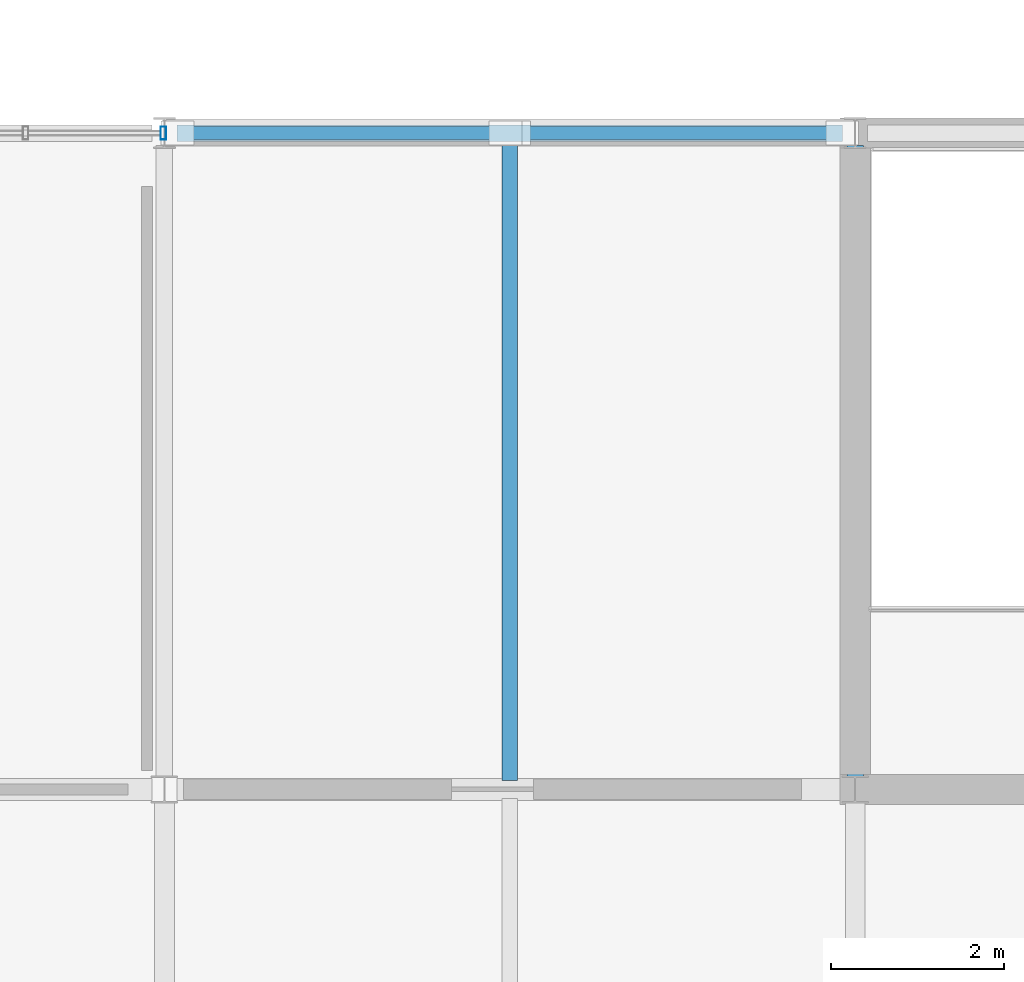
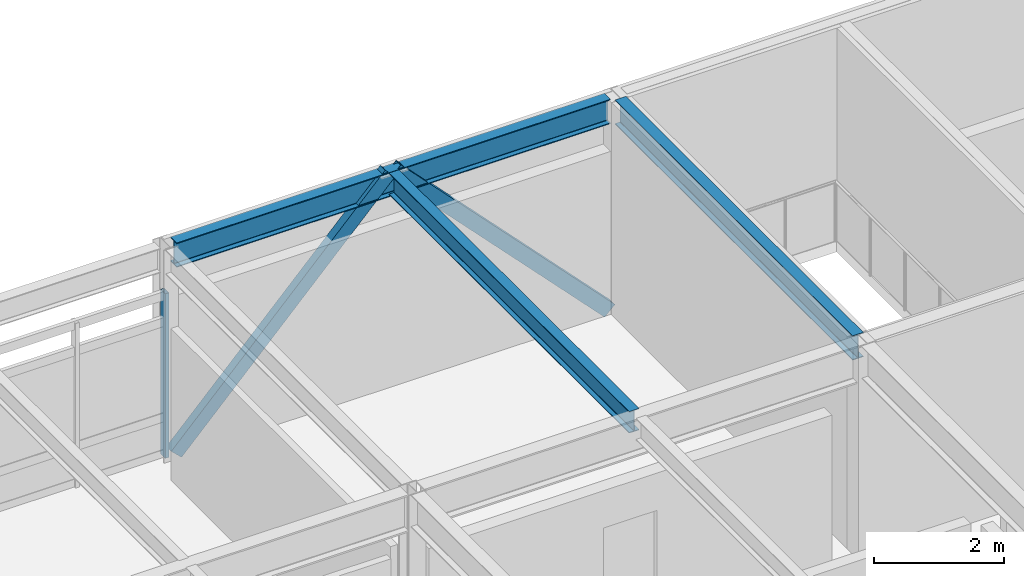
# One storey, part 9 of 17: 3 beams, 3 members, 1 element without a shape of its own.
"""IFC4 building model written with IfcOpenShell, lengths in metres."""

from ifc_helpers import new_model, si_unit, direction, frame, origin, origin_2d, place, context, subcontext, project, spatial, hollow_rectangle, i_section, extrude, material, material_profile, profile_set, type_object, element, aggregate, save


model = new_model("IFC4")

# Units and contexts
model_context = context("Model", 3, precision=1e-05, world=origin(), true_north=direction((0.0, 1.0)))
body_context = subcontext(model_context, "Body", "Model", "MODEL_VIEW")
ifc_project = project(units=[si_unit("LENGTHUNIT", "METRE"), si_unit("AREAUNIT", "SQUARE_METRE"), si_unit("VOLUMEUNIT", "CUBIC_METRE"), si_unit("PLANEANGLEUNIT", "RADIAN"), si_unit("MASSUNIT", "GRAM", prefix="KILO")], contexts=[model_context])

# Site, building, storey
site_placement = place(None, origin())
site = spatial("IfcSite", under=ifc_project, at=site_placement, CompositionType="ELEMENT")
building_placement = place(site_placement, origin())
building = spatial("IfcBuilding", under=site, at=building_placement, Name="Zulena Civic Courthouse", CompositionType="ELEMENT")
storey_placement = place(building_placement, frame((0.0, 0.0, 42.0)))
storey = spatial("IfcBuildingStorey", under=building, at=storey_placement, Name="L09", CompositionType="ELEMENT", Elevation=42.0)

# Members
ifc_material_1 = material(Name="Steel ASTM A500 Grade C", Category="steel")
ifc_material_profile_1 = material_profile(ifc_material_1, hollow_rectangle(XDim=0.152099609375, YDim=0.25390625, WallThickness=0.0087890625, at=origin_2d()), Name="HSS10X6X3/8")
ifc_profile_set_1 = profile_set([ifc_material_profile_1], Name="Steel ASTM A500 Grade C")
member_type_1 = type_object("IfcMemberType", Name="Brace_HSS10X6", PredefinedType="BRACE", material=ifc_profile_set_1)
for number, where, z_axis, x_axis, name in (
    (1, (36.14990234375, 22.800048828125, 0.010009765625), (0.693300076266, 0.0, 0.720649015992), (0.0, 1.0, 0.0), "brace:V2:L09:1:0"),
    (2, (43.85009765625, 22.800048828125, 0.010009765625), (-0.693300076266, 0.0, 0.720649015992), (0.0, -1.0, 0.0), "brace:V2:L09:1:1"),
):
    element("IfcMember", number, at=place(storey_placement, frame(where, z_axis=z_axis, x_axis=x_axis)), inside=storey, type_object=member_type_1, Name=name, PredefinedType="BRACE", context=body_context, shape_type="SweptSolid", body=[
        extrude(hollow_rectangle(XDim=0.152099609375, YDim=0.25390625, WallThickness=0.0087890625, at=origin_2d()), origin(), (0.0, 0.0, 1.0), 5.481201171875),
    ])

# Curtain wall, member
ifc_material_2 = material(Name="Double-silver low-E laminated solar-control glass", Category="glass")
curtain_wall_type = type_object("IfcCurtainWallType", Name="CW_7976x3090", PredefinedType="USERDEFINED", material=ifc_material_2)
curtain_wall_placement = place(storey_placement, origin())
curtain_wall = element("IfcCurtainWall", 3, at=curtain_wall_placement, inside=storey, type_object=curtain_wall_type, Name="cw:V2:L09:1:1", ObjectType="UNITISED CURTAIN WALL", PredefinedType="USERDEFINED")
ifc_material_3 = material(Name="Bronze anodised thermally broken aluminium AA6063-T6", Category="aluminium")
ifc_material_profile_2 = material_profile(ifc_material_3, hollow_rectangle(XDim=0.06494140625, YDim=0.14990234375, WallThickness=0.00390625, at=origin_2d()), Name="CWM150X65X4")
ifc_profile_set_2 = profile_set([ifc_material_profile_2], Name="Bronze anodised thermally broken aluminium AA6063-T6")
member_type_2 = type_object("IfcMemberType", Name="CWMullion_150x65", PredefinedType="MULLION", material=ifc_profile_set_2)
member_placement = place(storey_placement, frame((35.988037109375, 22.800048828125, 0.0), z_axis=(0.0, 0.0, 1.0), x_axis=(1.0, 0.0, 0.0)))
member = element("IfcMember", 4, at=member_placement, type_object=member_type_2, Name="cw:V2:L09:1:1:mull:5", PredefinedType="MULLION", context=body_context, shape_type="SweptSolid", body=[
    extrude(hollow_rectangle(XDim=0.06494140625, YDim=0.14990234375, WallThickness=0.00390625, at=origin_2d()), origin(), (0.0, 0.0, 1.0), 3.090087890625),
])
aggregate(curtain_wall, [member])

# Beams
ifc_material_4 = material(Name="Steel ASTM A992 Grade 50", Category="steel")
ifc_material_profile_3 = material_profile(ifc_material_4, i_section(OverallWidth=0.177978515625, OverallDepth=0.406005859375, WebThickness=0.0078125, FlangeThickness=0.0126953125, FilletRadius=0.01025390625, at=origin_2d()), Name="W16X40")
ifc_profile_set_3 = profile_set([ifc_material_profile_3], Name="Steel ASTM A992 Grade 50")
beam_type_1 = type_object("IfcBeamType", Name="Joist_W16X40", PredefinedType="JOIST", material=ifc_profile_set_3)
beam_1_placement = place(storey_placement, frame((40.0, 15.304931640625, 3.7919921875), z_axis=(0.0, 1.0, 0.0), x_axis=(-1.0, 0.0, 0.0)))
element("IfcBeam", 5, at=beam_1_placement, inside=storey, type_object=beam_type_1, Name="joist:V2:L09:40.00:15.2_22.8", PredefinedType="JOIST", context=body_context, shape_type="SweptSolid", body=[
    extrude(i_section(OverallWidth=0.177978515625, OverallDepth=0.406005859375, WebThickness=0.0078125, FlangeThickness=0.0126953125, FilletRadius=0.01025390625, at=origin_2d()), origin(), (0.0, 0.0, 1.0), 7.39013671875),
])
ifc_material_profile_4 = material_profile(ifc_material_4, i_section(OverallWidth=0.19091796875, OverallDepth=0.4599609375, WebThickness=0.010009765625, FlangeThickness=0.01611328125, FilletRadius=0.01025390625, at=origin_2d()), Name="W18X55")
ifc_profile_set_4 = profile_set([ifc_material_profile_4], Name="Steel ASTM A992 Grade 50")
beam_type_2 = type_object("IfcBeamType", Name="Spandrel_W18X55", PredefinedType="SPANDREL", material=ifc_profile_set_4)
beam_2_placement = place(storey_placement, frame((36.14501953125, 22.800048828125, 3.764892578125), z_axis=(1.0, 0.0, 0.0), x_axis=(0.0, 1.0, 0.0)))
element("IfcBeam", 6, at=beam_2_placement, inside=storey, type_object=beam_type_2, Name="beam:X:V2:L09:22.8:36.0_44.0", PredefinedType="SPANDREL", context=body_context, shape_type="SweptSolid", body=[
    extrude(i_section(OverallWidth=0.19091796875, OverallDepth=0.4599609375, WebThickness=0.010009765625, FlangeThickness=0.01611328125, FilletRadius=0.01025390625, at=origin_2d()), origin(), (0.0, 0.0, 1.0), 7.7099609375),
])
beam_3_placement = place(storey_placement, frame((44.0, 15.344970703125, 3.764892578125), z_axis=(0.0, 1.0, 0.0), x_axis=(-1.0, 0.0, 0.0)))
element("IfcBeam", 7, at=beam_3_placement, inside=storey, type_object=beam_type_2, Name="beam:Y:V2:L09:44.0:15.2_22.8", PredefinedType="SPANDREL", context=body_context, shape_type="SweptSolid", body=[
    extrude(i_section(OverallWidth=0.19091796875, OverallDepth=0.4599609375, WebThickness=0.010009765625, FlangeThickness=0.01611328125, FilletRadius=0.01025390625, at=origin_2d()), origin(), (0.0, 0.0, 1.0), 7.31005859375),
])

save(model, "model.ifc")
